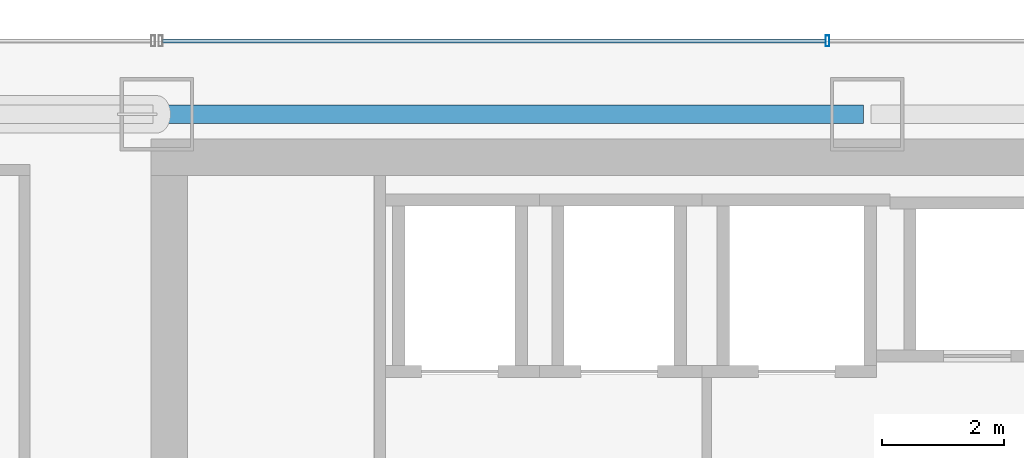
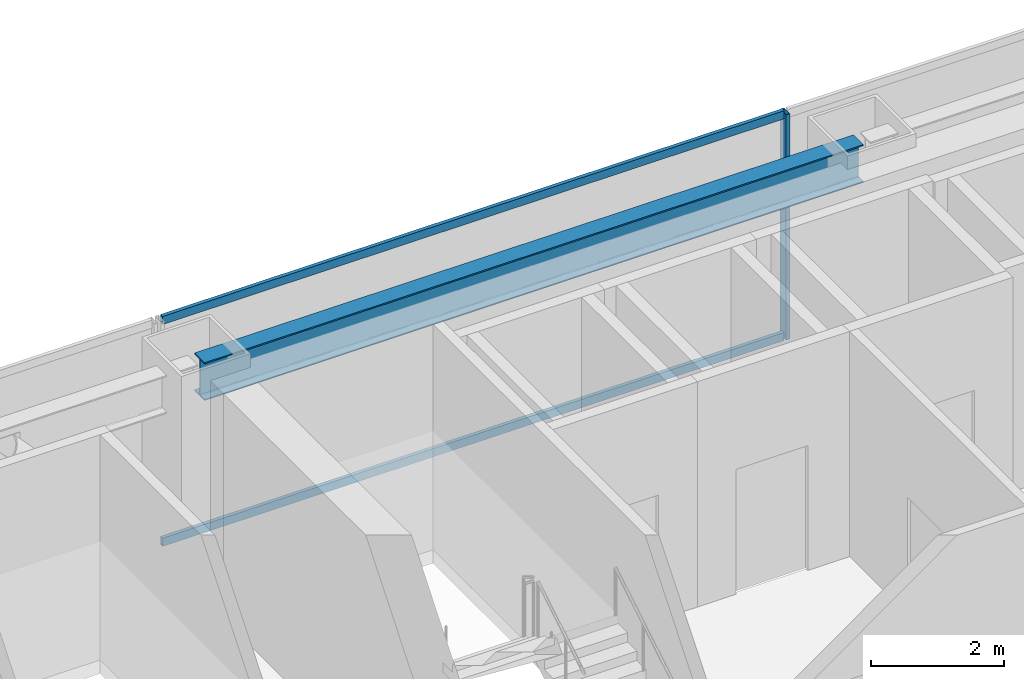
# One storey, part 27 of 47: 3 members, 1 beam, 1 element without a shape of its own.
"""IFC4 building model written with IfcOpenShell, lengths in metres."""

from ifc_helpers import new_model, si_unit, direction, frame, origin, origin_2d, place, context, subcontext, project, spatial, hollow_rectangle, i_section, extrude, material, material_profile, profile_set, type_object, element, aggregate, save


model = new_model("IFC4")

# Units and contexts
model_context = context("Model", 3, precision=1e-05, world=origin(), true_north=direction((0.0, 1.0)))
body_context = subcontext(model_context, "Body", "Model", "MODEL_VIEW")
ifc_project = project(units=[si_unit("LENGTHUNIT", "METRE"), si_unit("AREAUNIT", "SQUARE_METRE"), si_unit("VOLUMEUNIT", "CUBIC_METRE"), si_unit("PLANEANGLEUNIT", "RADIAN"), si_unit("MASSUNIT", "GRAM", prefix="KILO")], contexts=[model_context])

# Site, building, storey
site_placement = place(None, origin())
site = spatial("IfcSite", under=ifc_project, at=site_placement, CompositionType="ELEMENT")
building_placement = place(site_placement, origin())
building = spatial("IfcBuilding", under=site, at=building_placement, Name="Saevonmaru Cultural Tower", CompositionType="ELEMENT")
storey_placement = place(building_placement, frame((0.0, 0.0, 64.800048828125)))
storey = spatial("IfcBuildingStorey", under=building, at=storey_placement, Name="L13", CompositionType="ELEMENT", Elevation=64.800048828125)

# Beam
ifc_material_1 = material(Name="Steel SM355", Category="steel")
ifc_material_profile_1 = material_profile(ifc_material_1, i_section(OverallWidth=0.300048828125, OverallDepth=0.699951171875, WebThickness=0.012939453125, FlangeThickness=0.02392578125, FilletRadius=0.02587890625, at=origin_2d()), Name="H-700x300x13x24")
ifc_profile_set_1 = profile_set([ifc_material_profile_1], Name="Steel SM355")
beam_type = type_object("IfcBeamType", Name="BM-SP-H700", PredefinedType="SPANDREL", material=ifc_profile_set_1)
beam_placement = place(storey_placement, frame((13.659912109375, 54.800048828125, 3.800048828125), z_axis=(1.0, 0.0, 0.0), x_axis=(0.0, 1.0, 0.0)))
element("IfcBeam", 1, at=beam_placement, inside=storey, type_object=beam_type, Name="L13 North Spine Girder 2", PredefinedType="SPANDREL", context=body_context, shape_type="SweptSolid", body=[
    extrude(i_section(OverallWidth=0.300048828125, OverallDepth=0.699951171875, WebThickness=0.012939453125, FlangeThickness=0.02392578125, FilletRadius=0.02587890625, at=origin_2d()), origin(), (0.0, 0.0, 1.0), 11.47998046875),
])

# Curtain wall, members
ifc_material_2 = material(Name="Satin Bronze Anodised Aluminium", Category="aluminium")
curtain_wall_type = type_object("IfcCurtainWallType", Name="CW-TYP-A", PredefinedType="NOTDEFINED", material=ifc_material_2)
curtain_wall_placement = place(storey_placement, origin())
curtain_wall = element("IfcCurtainWall", 2, at=curtain_wall_placement, inside=storey, type_object=curtain_wall_type, Name="L13 North Spine Unitised Curtain Wall E10B", PredefinedType="NOTDEFINED")
ifc_material_profile_2 = material_profile(ifc_material_2, hollow_rectangle(XDim=0.06494140625, YDim=0.179931640625, WallThickness=0.00390625, at=origin_2d()), Name="ALU-MULL-180x65x4")
ifc_profile_set_2 = profile_set([ifc_material_profile_2], Name="Satin Bronze Anodised Aluminium")
member_type_1 = type_object("IfcMemberType", Name="ML-CW-180x65", PredefinedType="MULLION", material=ifc_profile_set_2)
member_1_placement = place(storey_placement, frame((24.55322265625, 56.0, 0.0), z_axis=(0.0, 0.0, 1.0), x_axis=(-1.0, 0.0, 0.0)))
member_1 = element("IfcMember", 3, at=member_1_placement, type_object=member_type_1, Name="CW-TW-L13-E10B mullion 3", PredefinedType="MULLION", context=body_context, shape_type="SweptSolid", body=[
    extrude(hollow_rectangle(XDim=0.06494140625, YDim=0.179931640625, WallThickness=0.00390625, at=origin_2d()), origin(), (0.0, 0.0, 1.0), 4.14990234375),
])
ifc_material_profile_3 = material_profile(ifc_material_2, hollow_rectangle(XDim=0.06494140625, YDim=0.14990234375, WallThickness=0.00390625, at=origin_2d()), Name="ALU-TRAN-150x65x4")
ifc_profile_set_3 = profile_set([ifc_material_profile_3], Name="Satin Bronze Anodised Aluminium")
member_type_2 = type_object("IfcMemberType", Name="TR-CW-150x65", PredefinedType="USERDEFINED", material=ifc_profile_set_3)
member_2_placement = place(storey_placement, frame((24.520751953125, 56.0, 0.032470703125), z_axis=(-1.0, 0.0, 0.0), x_axis=(0.0, -1.0, 0.0)))
member_2 = element("IfcMember", 4, at=member_2_placement, type_object=member_type_2, Name="CW-TW-L13-E10B transom 3.1", ObjectType="TRANSOM", PredefinedType="USERDEFINED", context=body_context, shape_type="SweptSolid", body=[
    extrude(hollow_rectangle(XDim=0.06494140625, YDim=0.14990234375, WallThickness=0.00390625, at=origin_2d()), origin(), (0.0, 0.0, 1.0), 10.828369140625),
])
member_3_placement = place(storey_placement, frame((24.520751953125, 56.0, 4.117431640625), z_axis=(-1.0, 0.0, 0.0), x_axis=(0.0, -1.0, 0.0)))
member_3 = element("IfcMember", 5, at=member_3_placement, type_object=member_type_2, Name="CW-TW-L13-E10B transom 3.2", ObjectType="TRANSOM", PredefinedType="USERDEFINED", context=body_context, shape_type="SweptSolid", body=[
    extrude(hollow_rectangle(XDim=0.06494140625, YDim=0.14990234375, WallThickness=0.00390625, at=origin_2d()), origin(), (0.0, 0.0, 1.0), 10.828369140625),
])
aggregate(curtain_wall, [member_1, member_2, member_3])

save(model, "model.ifc")
